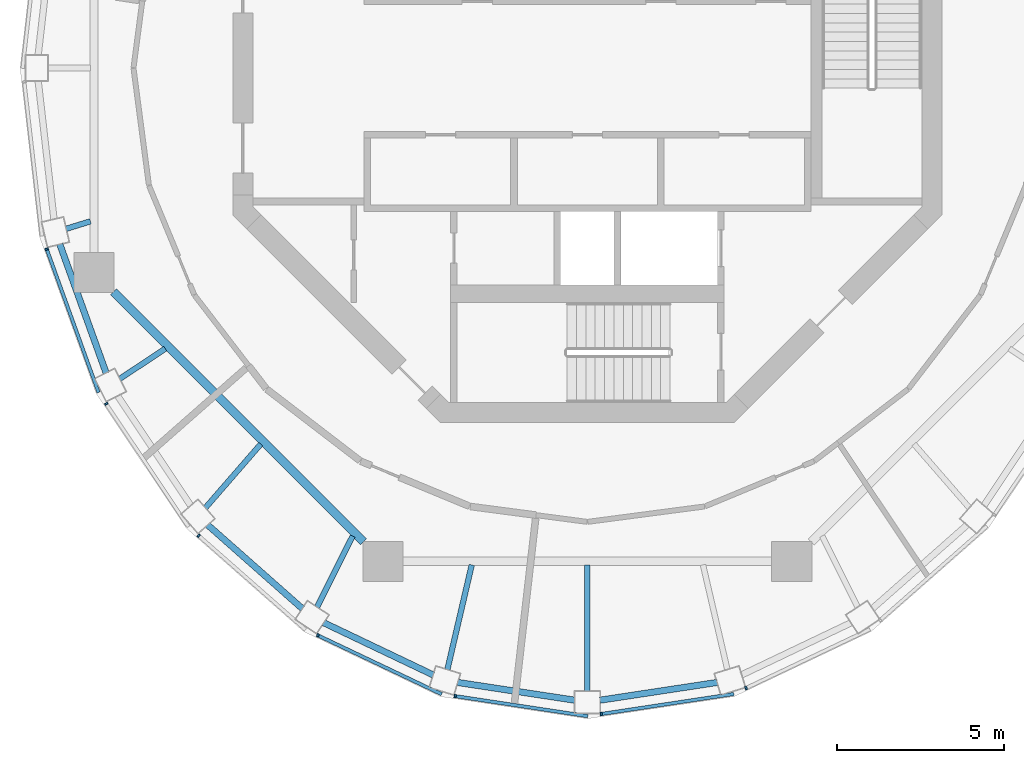
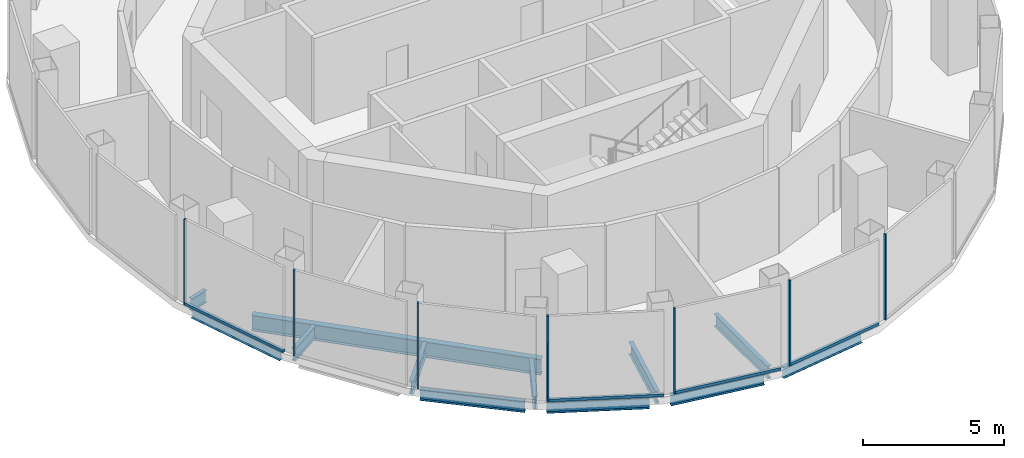
# One storey, part 2 of 11: 12 beams, 11 members, 7 elements without a shape of their own.
"""IFC4 building model written with IfcOpenShell, lengths in metres."""

from ifc_helpers import new_model, si_unit, direction, frame, origin, origin_2d, place, context, subcontext, project, spatial, rectangle, i_section, extrude, material, layer, layer_set, material_profile, profile_set, type_object, element, aggregate, save


model = new_model("IFC4")

# Units and contexts
model_context = context("Model", 3, precision=1e-05, world=origin(), true_north=direction((0.0, 1.0)))
body_context = subcontext(model_context, "Body", "Model", "MODEL_VIEW")
ifc_project = project(units=[si_unit("LENGTHUNIT", "METRE"), si_unit("AREAUNIT", "SQUARE_METRE"), si_unit("VOLUMEUNIT", "CUBIC_METRE"), si_unit("PLANEANGLEUNIT", "RADIAN"), si_unit("MASSUNIT", "GRAM", prefix="KILO")], contexts=[model_context])

# Site, building, storey
site_placement = place(None, origin())
site = spatial("IfcSite", under=ifc_project, at=site_placement, CompositionType="ELEMENT")
building_placement = place(site_placement, origin())
building = spatial("IfcBuilding", under=site, at=building_placement, Name="Nagisa Residences", CompositionType="ELEMENT")
storey_placement = place(building_placement, frame((0.0, 0.0, 332.89990234375)))
storey = spatial("IfcBuildingStorey", under=building, at=storey_placement, Name="L82", CompositionType="ELEMENT", Elevation=332.89990234375)

# Curtain wall, member
ifc_material_1 = material(Name="Aluminium curtain wall system", Category="aluminium")
ifc_layer = layer(ifc_material_1, 0.159912109375)
ifc_layer_set = layer_set([ifc_layer], Name="CW5 CURTAIN WALL")
curtain_wall_type = type_object("IfcCurtainWallType", Name="CW5 CURTAIN WALL", PredefinedType="NOTDEFINED", material=ifc_layer_set)
curtain_wall_1_placement = place(storey_placement, origin())
curtain_wall_1 = element("IfcCurtainWall", 1, at=curtain_wall_1_placement, inside=storey, type_object=curtain_wall_type, Name="cw:CW5:L82:13", PredefinedType="NOTDEFINED")
ifc_material_2 = material(Name="Aluminium", Category="aluminium")
ifc_material_profile_1 = material_profile(ifc_material_2, rectangle(XDim=0.10009765625, YDim=0.06005859375, at=origin_2d()), Name="CW5 MULLION 100x60")
ifc_profile_set_1 = profile_set([ifc_material_profile_1], Name="Aluminium")
member_type_1 = type_object("IfcMemberType", Name="CW5 MULLION 100x60", PredefinedType="MULLION", material=ifc_profile_set_1)
member_1_placement = place(storey_placement, frame((-16.199462890625, -5.42431640625, 0.0), z_axis=(0.0, 0.0, 1.0), x_axis=(0.940554456033, 0.339642923136, 0.0)))
member_1 = element("IfcMember", 2, at=member_1_placement, type_object=member_type_1, Name="CW5 mullion", PredefinedType="MULLION", context=body_context, shape_type="SweptSolid", body=[
    extrude(rectangle(XDim=0.10009765625, YDim=0.06005859375, at=origin_2d()), origin(), (0.0, 0.0, 1.0), 3.7001953125),
])

curtain_wall_2_placement = place(storey_placement, origin())
curtain_wall_2 = element("IfcCurtainWall", 3, at=curtain_wall_2_placement, inside=storey, type_object=curtain_wall_type, Name="cw:CW5:L82:14", PredefinedType="NOTDEFINED")
member_2_placement = place(storey_placement, frame((-14.416748046875, -10.06298828125, 0.0), z_axis=(0.0, 0.0, 1.0), x_axis=(0.831172662415, 0.556014393027, 0.0)))
member_2 = element("IfcMember", 4, at=member_2_placement, type_object=member_type_1, Name="CW5 mullion", PredefinedType="MULLION", context=body_context, shape_type="SweptSolid", body=[
    extrude(rectangle(XDim=0.10009765625, YDim=0.06005859375, at=origin_2d()), origin(), (0.0, 0.0, 1.0), 3.7001953125),
])
aggregate(curtain_wall_2, [member_2])

curtain_wall_3_placement = place(storey_placement, origin())
curtain_wall_3 = element("IfcCurtainWall", 5, at=curtain_wall_3_placement, inside=storey, type_object=curtain_wall_type, Name="cw:CW5:L82:15", PredefinedType="NOTDEFINED")
member_3_placement = place(storey_placement, frame((-11.645263671875, -14.0126953125, 0.0), z_axis=(0.0, 0.0, 1.0), x_axis=(0.660699467703, 0.750650526795, 0.0)))
member_3 = element("IfcMember", 6, at=member_3_placement, type_object=member_type_1, Name="CW5 mullion", PredefinedType="MULLION", context=body_context, shape_type="SweptSolid", body=[
    extrude(rectangle(XDim=0.10009765625, YDim=0.06005859375, at=origin_2d()), origin(), (0.0, 0.0, 1.0), 3.7001953125),
])
aggregate(curtain_wall_3, [member_3])

curtain_wall_4_placement = place(storey_placement, origin())
curtain_wall_4 = element("IfcCurtainWall", 7, at=curtain_wall_4_placement, inside=storey, type_object=curtain_wall_type, Name="cw:CW5:L82:16", PredefinedType="NOTDEFINED")
member_4_placement = place(storey_placement, frame((-8.077392578125, -16.999755859375, 0.0), z_axis=(0.0, 0.0, 1.0), x_axis=(0.429150642757, 0.903232929992, 0.0)))
member_4 = element("IfcMember", 8, at=member_4_placement, type_object=member_type_1, Name="CW5 mullion", PredefinedType="MULLION", context=body_context, shape_type="SweptSolid", body=[
    extrude(rectangle(XDim=0.10009765625, YDim=0.06005859375, at=origin_2d()), origin(), (0.0, 0.0, 1.0), 3.7001953125),
])

curtain_wall_5_placement = place(storey_placement, origin())
curtain_wall_5 = element("IfcCurtainWall", 9, at=curtain_wall_5_placement, inside=storey, type_object=curtain_wall_type, Name="cw:CW5:L82:17", PredefinedType="NOTDEFINED")
member_5_placement = place(storey_placement, frame((-3.962890625, -18.820556640625, 0.0), z_axis=(0.0, 0.0, 1.0), x_axis=(0.149320135997, 0.988788904158, 0.0)))
member_5 = element("IfcMember", 10, at=member_5_placement, type_object=member_type_1, Name="CW5 mullion", PredefinedType="MULLION", context=body_context, shape_type="SweptSolid", body=[
    extrude(rectangle(XDim=0.10009765625, YDim=0.06005859375, at=origin_2d()), origin(), (0.0, 0.0, 1.0), 3.7001953125),
])

curtain_wall_6_placement = place(storey_placement, origin())
curtain_wall_6 = element("IfcCurtainWall", 11, at=curtain_wall_6_placement, inside=storey, type_object=curtain_wall_type, Name="cw:CW5:L82:18", PredefinedType="NOTDEFINED")
member_6_placement = place(storey_placement, frame((0.413330078125, -19.356689453125, 0.0), z_axis=(0.0, 0.0, 1.0), x_axis=(-0.149320135997, 0.988788904158, 0.0)))
member_6 = element("IfcMember", 12, at=member_6_placement, type_object=member_type_1, Name="CW5 mullion", PredefinedType="MULLION", context=body_context, shape_type="SweptSolid", body=[
    extrude(rectangle(XDim=0.10009765625, YDim=0.06005859375, at=origin_2d()), origin(), (0.0, 0.0, 1.0), 3.7001953125),
])

curtain_wall_7_placement = place(storey_placement, origin())
curtain_wall_7 = element("IfcCurtainWall", 13, at=curtain_wall_7_placement, inside=storey, type_object=curtain_wall_type, Name="cw:CW5:L82:19", PredefinedType="NOTDEFINED")
member_7_placement = place(storey_placement, frame((4.75390625, -18.578857421875, 0.0), z_axis=(0.0, 0.0, 1.0), x_axis=(-0.429150642757, 0.903232929992, 0.0)))
member_7 = element("IfcMember", 14, at=member_7_placement, type_object=member_type_1, Name="CW5 mullion", PredefinedType="MULLION", context=body_context, shape_type="SweptSolid", body=[
    extrude(rectangle(XDim=0.10009765625, YDim=0.06005859375, at=origin_2d()), origin(), (0.0, 0.0, 1.0), 3.7001953125),
])
aggregate(curtain_wall_7, [member_7])

# Member
ifc_material_3 = material(Name="Aluminium", Category="aluminium")
ifc_material_profile_2 = material_profile(ifc_material_3, rectangle(XDim=0.10009765625, YDim=0.1201171875, at=origin_2d()), Name="CW5 TRANSOM 100x120")
ifc_profile_set_2 = profile_set([ifc_material_profile_2], Name="Aluminium")
member_type_2 = type_object("IfcMemberType", Name="CW5 TRANSOM 100x120", PredefinedType="USERDEFINED", material=ifc_profile_set_2)
member_8_placement = place(storey_placement, frame((-16.209716796875, -5.39599609375, 0.06005859375), z_axis=(0.339645767878, -0.940553428766, 0.0), x_axis=(0.940553428766, 0.339645767878, 0.0)))
member_8 = element("IfcMember", 15, at=member_8_placement, type_object=member_type_2, Name="CW5 transom", ObjectType="TRANSOM", PredefinedType="USERDEFINED", context=body_context, shape_type="SweptSolid", body=[
    extrude(rectangle(XDim=0.10009765625, YDim=0.1201171875, at=origin_2d()), origin(), (0.0, 0.0, 1.0), 4.600341796875),
])

aggregate(curtain_wall_1, [member_1, member_8])

member_9_placement = place(storey_placement, frame((-8.1044921875, -16.98681640625, 0.06005859375), z_axis=(0.903246073132, -0.429122979309, 0.0), x_axis=(0.429122979309, 0.903246073132, 0.0)))
member_9 = element("IfcMember", 16, at=member_9_placement, type_object=member_type_2, Name="CW5 transom", ObjectType="TRANSOM", PredefinedType="USERDEFINED", context=body_context, shape_type="SweptSolid", body=[
    extrude(rectangle(XDim=0.10009765625, YDim=0.1201171875, at=origin_2d()), origin(), (0.0, 0.0, 1.0), 4.1396484375),
])

aggregate(curtain_wall_4, [member_4, member_9])

member_10_placement = place(storey_placement, frame((-3.992431640625, -18.816162109375, 0.06005859375), z_axis=(0.988788172803, -0.149324978907, 0.0), x_axis=(0.149324978907, 0.988788172803, 0.0)))
member_10 = element("IfcMember", 17, at=member_10_placement, type_object=member_type_2, Name="CW5 transom", ObjectType="TRANSOM", PredefinedType="USERDEFINED", context=body_context, shape_type="SweptSolid", body=[
    extrude(rectangle(XDim=0.10009765625, YDim=0.1201171875, at=origin_2d()), origin(), (0.0, 0.0, 1.0), 4.0498046875),
])

aggregate(curtain_wall_5, [member_5, member_10])

member_11_placement = place(storey_placement, frame((0.383544921875, -19.361083984375, 0.06005859375), z_axis=(0.988788172803, 0.149324978907, 0.0), x_axis=(-0.149324978907, 0.988788172803, 0.0)))
member_11 = element("IfcMember", 18, at=member_11_placement, type_object=member_type_2, Name="CW5 transom", ObjectType="TRANSOM", PredefinedType="USERDEFINED", context=body_context, shape_type="SweptSolid", body=[
    extrude(rectangle(XDim=0.10009765625, YDim=0.1201171875, at=origin_2d()), origin(), (0.0, 0.0, 1.0), 4.0498046875),
])

aggregate(curtain_wall_6, [member_6, member_11])

# Beams
ifc_material_4 = material(Name="Steel ASTM A572 Gr 50", Category="steel")
ifc_material_profile_3 = material_profile(ifc_material_4, i_section(OverallWidth=0.2529296875, OverallDepth=0.677978515625, WebThickness=0.01171875, FlangeThickness=0.016357421875, at=origin_2d()), Name="W690x125")
ifc_profile_set_3 = profile_set([ifc_material_profile_3], Name="Steel ASTM A572 Gr 50")
beam_type_1 = type_object("IfcBeamType", Name="Inner ring beam W690x125", PredefinedType="BEAM", material=ifc_profile_set_3)
beam_1_placement = place(storey_placement, frame((-14.1962890625, -6.708740234375, -0.638916015625), z_axis=(0.707106781187, -0.707106781187, 0.0), x_axis=(0.707106781187, 0.707106781187, 0.0)))
element("IfcBeam", 19, at=beam_1_placement, inside=storey, type_object=beam_type_1, Name="beam:L82:ib5", PredefinedType="BEAM", context=body_context, shape_type="SweptSolid", body=[
    extrude(i_section(OverallWidth=0.2529296875, OverallDepth=0.677978515625, WebThickness=0.01171875, FlangeThickness=0.016357421875, at=origin_2d()), origin(), (0.0, 0.0, 1.0), 10.589111328125),
])
ifc_material_5 = material(Name="Steel ASTM A572 Gr 50", Category="steel")
ifc_material_profile_4 = material_profile(ifc_material_5, i_section(OverallWidth=0.18994140625, OverallDepth=0.45703125, WebThickness=0.009033203125, FlangeThickness=0.014404296875, at=origin_2d()), Name="W460x74")
ifc_profile_set_4 = profile_set([ifc_material_profile_4], Name="Steel ASTM A572 Gr 50")
beam_type_2 = type_object("IfcBeamType", Name="Perimeter ring beam W460x74", PredefinedType="BEAM", material=ifc_profile_set_4)
beam_2_placement = place(storey_placement, frame((-15.808349609375, -5.277587890625, -0.5283203125), z_axis=(0.338517252251, -0.940960185092, 0.0), x_axis=(0.940960185092, 0.338517252251, 0.0)))
element("IfcBeam", 20, at=beam_2_placement, inside=storey, type_object=beam_type_2, Name="beam:L82:pb14", PredefinedType="BEAM", context=body_context, shape_type="SweptSolid", body=[
    extrude(i_section(OverallWidth=0.18994140625, OverallDepth=0.45703125, WebThickness=0.009033203125, FlangeThickness=0.014404296875, at=origin_2d()), origin(), (0.0, 0.0, 1.0), 4.1044921875),
])
beam_3_placement = place(storey_placement, frame((-11.3798828125, -13.68896484375, -0.5283203125), z_axis=(0.749401876552, -0.662115418503, 0.0), x_axis=(0.662115418503, 0.749401876552, 0.0)))
element("IfcBeam", 21, at=beam_3_placement, inside=storey, type_object=beam_type_2, Name="beam:L82:pb16", PredefinedType="BEAM", context=body_context, shape_type="SweptSolid", body=[
    extrude(i_section(OverallWidth=0.18994140625, OverallDepth=0.45703125, WebThickness=0.009033203125, FlangeThickness=0.014404296875, at=origin_2d()), origin(), (0.0, 0.0, 1.0), 3.792724609375),
])
beam_4_placement = place(storey_placement, frame((-7.903564453125, -16.619873046875, -0.5283203125), z_axis=(0.902613702305, -0.430451512266, 0.0), x_axis=(0.430451512266, 0.902613702305, 0.0)))
element("IfcBeam", 22, at=beam_4_placement, inside=storey, type_object=beam_type_2, Name="beam:L82:pb17", PredefinedType="BEAM", context=body_context, shape_type="SweptSolid", body=[
    extrude(i_section(OverallWidth=0.18994140625, OverallDepth=0.45703125, WebThickness=0.009033203125, FlangeThickness=0.014404296875, at=origin_2d()), origin(), (0.0, 0.0, 1.0), 3.640625),
])
for number, where, z_axis, x_axis, name in (
    (23, (-3.890380859375, -18.41015625, -0.5283203125), (0.988700067025, -0.149907229525, 0.0), (0.149907229525, 0.988700067025, 0.0), "beam:L82:pb18"),
    (24, (0.380126953125, -18.9423828125, -0.5283203125), (0.988700067025, 0.149907229525, 0.0), (-0.149907229525, 0.988700067025, 0.0), "beam:L82:pb19"),
):
    element("IfcBeam", number, at=place(storey_placement, frame(where, z_axis=z_axis, x_axis=x_axis)), inside=storey, type_object=beam_type_2, Name=name, PredefinedType="BEAM", context=body_context, shape_type="SweptSolid", body=[
        extrude(i_section(OverallWidth=0.18994140625, OverallDepth=0.45703125, WebThickness=0.009033203125, FlangeThickness=0.014404296875, at=origin_2d()), origin(), (0.0, 0.0, 1.0), 3.55029296875),
    ])
ifc_material_6 = material(Name="Steel ASTM A572 Gr 50", Category="steel")
ifc_material_profile_5 = material_profile(ifc_material_6, i_section(OverallWidth=0.166015625, OverallDepth=0.534912109375, WebThickness=0.01025390625, FlangeThickness=0.0166015625, at=origin_2d()), Name="W530x85")
ifc_profile_set_5 = profile_set([ifc_material_profile_5], Name="Steel ASTM A572 Gr 50")
beam_type_3 = type_object("IfcBeamType", Name="Radial beam W530x85", PredefinedType="BEAM", material=ifc_profile_set_5)
beam_5_placement = place(storey_placement, frame((-15.62158203125, -4.820068359375, -0.5673828125), z_axis=(0.955489220567, 0.295026014753, 0.0), x_axis=(-0.295026014753, 0.955489220567, 0.0)))
element("IfcBeam", 25, at=beam_5_placement, inside=storey, type_object=beam_type_3, Name="beam:L82:rb14", PredefinedType="BEAM", context=body_context, shape_type="SweptSolid", body=[
    extrude(i_section(OverallWidth=0.166015625, OverallDepth=0.534912109375, WebThickness=0.01025390625, FlangeThickness=0.0166015625, at=origin_2d()), origin(), (0.0, 0.0, 1.0), 0.766357421875),
])
beam_6_placement = place(storey_placement, frame((-14.012451171875, -9.31591796875, -0.5673828125), z_axis=(0.832714310154, 0.553702878505, 0.0), x_axis=(-0.553702878505, 0.832714310154, 0.0)))
element("IfcBeam", 26, at=beam_6_placement, inside=storey, type_object=beam_type_3, Name="beam:L82:rb15", PredefinedType="BEAM", context=body_context, shape_type="SweptSolid", body=[
    extrude(i_section(OverallWidth=0.166015625, OverallDepth=0.534912109375, WebThickness=0.01025390625, FlangeThickness=0.0166015625, at=origin_2d()), origin(), (0.0, 0.0, 1.0), 1.638916015625),
])
beam_7_placement = place(storey_placement, frame((-11.44873046875, -13.183349609375, -0.5673828125), z_axis=(0.655718438616, 0.755005516045, 0.0), x_axis=(-0.755005516045, 0.655718438616, 0.0)))
element("IfcBeam", 27, at=beam_7_placement, inside=storey, type_object=beam_type_3, Name="beam:L82:rb16", PredefinedType="BEAM", context=body_context, shape_type="SweptSolid", body=[
    extrude(i_section(OverallWidth=0.166015625, OverallDepth=0.534912109375, WebThickness=0.01025390625, FlangeThickness=0.0166015625, at=origin_2d()), origin(), (0.0, 0.0, 1.0), 2.53515625),
])
beam_8_placement = place(storey_placement, frame((-8.10107421875, -16.1572265625, -0.5673828125), z_axis=(0.448236908276, 0.893914802461, 0.0), x_axis=(-0.893914802461, 0.448236908276, 0.0)))
element("IfcBeam", 28, at=beam_8_placement, inside=storey, type_object=beam_type_3, Name="beam:L82:rb17", PredefinedType="BEAM", context=body_context, shape_type="SweptSolid", body=[
    extrude(i_section(OverallWidth=0.166015625, OverallDepth=0.534912109375, WebThickness=0.01025390625, FlangeThickness=0.0166015625, at=origin_2d()), origin(), (0.0, 0.0, 1.0), 2.385009765625),
])
beam_9_placement = place(storey_placement, frame((-4.195556640625, -18.0302734375, -0.5673828125), z_axis=(0.226650446588, 0.973976167604, 0.0), x_axis=(-0.973976167604, 0.226650446588, 0.0)))
element("IfcBeam", 29, at=beam_9_placement, inside=storey, type_object=beam_type_3, Name="beam:L82:rb18", PredefinedType="BEAM", context=body_context, shape_type="SweptSolid", body=[
    extrude(i_section(OverallWidth=0.166015625, OverallDepth=0.534912109375, WebThickness=0.01025390625, FlangeThickness=0.0166015625, at=origin_2d()), origin(), (0.0, 0.0, 1.0), 3.22509765625),
])
beam_10_placement = place(storey_placement, frame((0.0, -18.669921875, -0.5673828125), z_axis=(0.0, 1.0, 0.0), x_axis=(-1.0, 0.0, 0.0)))
element("IfcBeam", 30, at=beam_10_placement, inside=storey, type_object=beam_type_3, Name="beam:L82:rb19", PredefinedType="BEAM", context=body_context, shape_type="SweptSolid", body=[
    extrude(i_section(OverallWidth=0.166015625, OverallDepth=0.534912109375, WebThickness=0.01025390625, FlangeThickness=0.0166015625, at=origin_2d()), origin(), (0.0, 0.0, 1.0), 3.78125),
])

save(model, "model.ifc")
